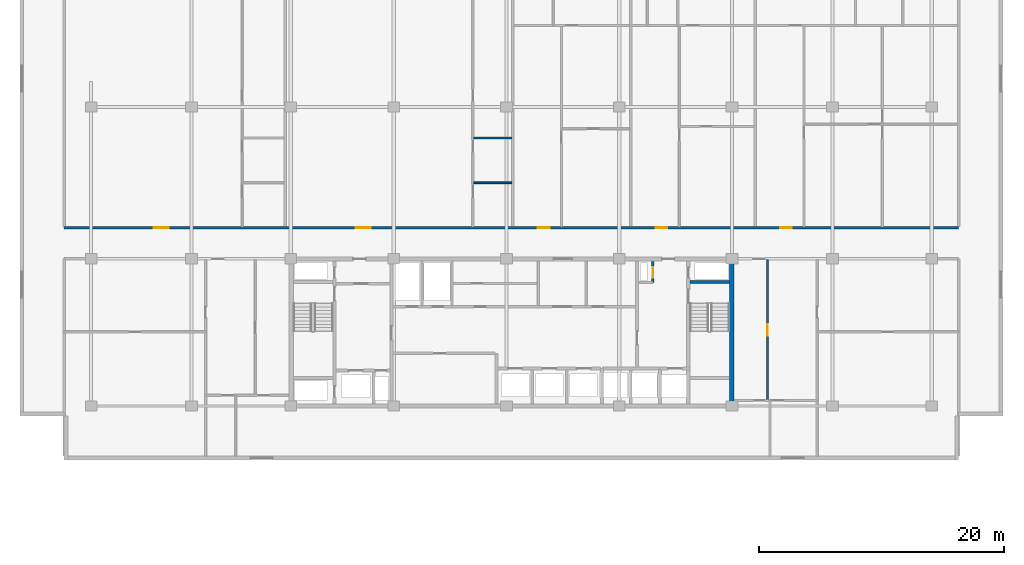
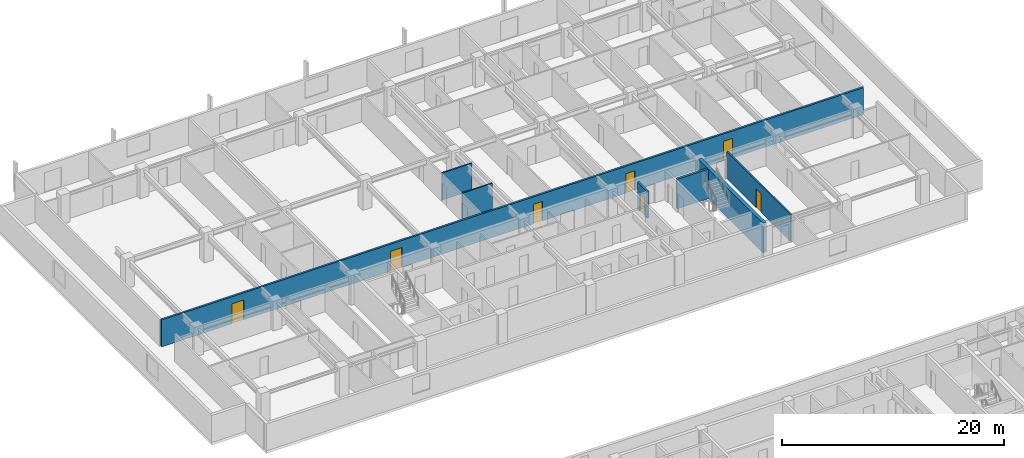
# One storey, part 12 of 21: 7 doors, 7 walls, 7 openings.
"""IFC4 building model written with IfcOpenShell, lengths in metres."""

from ifc_helpers import new_model, si_unit, direction, frame, frame_2d, origin, place, context, subcontext, project, spatial, rectangle, extrude, material, layer, layer_set, type_object, element, fill, save


model = new_model("IFC4")

# Units and contexts
model_context = context("Model", 3, precision=1e-05, world=origin(), true_north=direction((0.0, 1.0)))
body_context = subcontext(model_context, "Body", "Model", "MODEL_VIEW")
ifc_project = project(units=[si_unit("LENGTHUNIT", "METRE"), si_unit("AREAUNIT", "SQUARE_METRE"), si_unit("VOLUMEUNIT", "CUBIC_METRE"), si_unit("PLANEANGLEUNIT", "RADIAN"), si_unit("MASSUNIT", "GRAM", prefix="KILO")], contexts=[model_context])

# Site, building, storey
site_placement = place(None, origin())
site = spatial("IfcSite", under=ifc_project, at=site_placement, CompositionType="ELEMENT")
building_placement = place(site_placement, origin())
building = spatial("IfcBuilding", under=site, at=building_placement, Name="Korimba Cascade Residences", CompositionType="ELEMENT")
storey_placement = place(building_placement, frame((0.0, 0.0, 103.550048828125)))
storey = spatial("IfcBuildingStorey", under=building, at=storey_placement, Name="L29", CompositionType="ELEMENT", Elevation=103.550048828125)

# Wall
ifc_material_1 = material(Name="Concrete C65/80", Category="concrete")
ifc_layer_1 = layer(ifc_material_1, 0.35009765625)
ifc_layer_set_1 = layer_set([ifc_layer_1], Name="Concrete C65/80")
wall_type_1 = type_object("IfcWallType", Name="WAL-CORE-350", PredefinedType="SHEAR", material=ifc_layer_set_1)
wall_1_placement = place(storey_placement, frame((112.074951171875, 55.375, 0.0), z_axis=(0.0, 0.0, 1.0), x_axis=(0.0, 1.0, 0.0)))
element("IfcWall", 1, at=wall_1_placement, inside=storey, type_object=wall_type_1, Name="L29 Core Shear Wall CW-L29-T1-E", PredefinedType="SHEAR", context=body_context, shape_type="SweptSolid", body=[
    extrude(rectangle(XDim=11.64990234375, YDim=0.35009765625, at=frame_2d((5.824951171875, 0.0))), origin(), (0.0, 0.0, 1.0), 3.25),
])

# Wall, openings, doors
ifc_material_2 = material(Name="Precast concrete C40/50", Category="concrete")
ifc_layer_2 = layer(ifc_material_2, 0.199951171875)
ifc_layer_set_2 = layer_set([ifc_layer_2], Name="Precast concrete C40/50")
wall_type_2 = type_object("IfcWallType", Name="WAL-IT-200", PredefinedType="PARTITIONING", material=ifc_layer_set_2)
wall_2_placement = place(storey_placement, frame((57.60009765625, 69.75, 0.0), z_axis=(0.0, 0.0, 1.0), x_axis=(1.0, 0.0, 0.0)))
wall_2 = element("IfcWall", 2, at=wall_2_placement, inside=storey, type_object=wall_type_2, Name="L29 Partition Wall WAL-L29-T1-CORN", PredefinedType="PARTITIONING", context=body_context, shape_type="SweptSolid", body=[
    extrude(rectangle(XDim=73.0, YDim=0.199951171875, at=frame_2d((36.5, 0.0))), origin(), (0.0, 0.0, 1.0), 2.969970703125),
])
opening_1_placement = place(wall_2_placement, frame((7.326171875, 0.0, 0.0)))
opening_1 = element("IfcOpeningElement", 3, at=opening_1_placement, cuts=wall_2, Name="Opening D-AM1", PredefinedType="OPENING", context=body_context, shape_type="SweptSolid", body=[
    extrude(rectangle(XDim=1.219970703125, YDim=2.179931640625, at=frame_2d((0.60986328125, 1.08984375))), frame((0.0, 0.10986328125, 0.0), z_axis=(0.0, -1.0, 0.0), x_axis=(1.0, 0.0, 0.0)), (0.0, 0.0, 1.0), 0.219970703125),
])
opening_2_placement = place(wall_2_placement, frame((23.79541015625, 0.0, 0.0)))
opening_2 = element("IfcOpeningElement", 4, at=opening_2_placement, cuts=wall_2, Name="Opening D-AM1", PredefinedType="OPENING", context=body_context, shape_type="SweptSolid", body=[
    extrude(rectangle(XDim=1.219970703125, YDim=2.179931640625, at=frame_2d((0.60986328125, 1.08984375))), frame((0.0, 0.10986328125, 0.0), z_axis=(0.0, -1.0, 0.0), x_axis=(1.0, 0.0, 0.0)), (0.0, 0.0, 1.0), 0.219970703125),
])
opening_3_placement = place(wall_2_placement, frame((38.669921875, 0.0, 0.0)))
opening_3 = element("IfcOpeningElement", 5, at=opening_3_placement, cuts=wall_2, Name="Opening D-UN1", PredefinedType="OPENING", context=body_context, shape_type="SweptSolid", body=[
    extrude(rectangle(XDim=0.949951171875, YDim=2.14990234375, at=frame_2d((0.47509765625, 1.074951171875))), frame((0.0, 0.10986328125, 0.0), z_axis=(0.0, -1.0, 0.0), x_axis=(1.0, 0.0, 0.0)), (0.0, 0.0, 1.0), 0.219970703125),
])
opening_4_placement = place(wall_2_placement, frame((48.279052734375, 0.0, 0.0)))
opening_4 = element("IfcOpeningElement", 6, at=opening_4_placement, cuts=wall_2, Name="Opening D-UN1", PredefinedType="OPENING", context=body_context, shape_type="SweptSolid", body=[
    extrude(rectangle(XDim=0.949951171875, YDim=2.14990234375, at=frame_2d((0.47509765625, 1.074951171875))), frame((0.0, 0.10986328125, 0.0), z_axis=(0.0, -1.0, 0.0), x_axis=(1.0, 0.0, 0.0)), (0.0, 0.0, 1.0), 0.219970703125),
])
opening_5_placement = place(wall_2_placement, frame((58.448974609375, 0.0, 0.0)))
opening_5 = element("IfcOpeningElement", 7, at=opening_5_placement, cuts=wall_2, Name="Opening D-UN1", PredefinedType="OPENING", context=body_context, shape_type="SweptSolid", body=[
    extrude(rectangle(XDim=0.949951171875, YDim=2.14990234375, at=frame_2d((0.47509765625, 1.074951171875))), frame((0.0, 0.10986328125, 0.0), z_axis=(0.0, -1.0, 0.0), x_axis=(1.0, 0.0, 0.0)), (0.0, 0.0, 1.0), 0.219970703125),
])
ifc_material_3 = material(Name="Fire-Rated Glazed Timber Suite Door", Category="wood")
door_type_1 = type_object("IfcDoorType", Name="DR-FD60-1200", OperationType="NOTDEFINED", PredefinedType="DOOR", material=ifc_material_3)
door_1_placement = place(opening_1_placement, origin())
door_1 = element("IfcDoor", 8, at=door_1_placement, inside=storey, type_object=door_type_1, Name="L29-T1-U01 Business Collaboration Office Door", OperationType="SINGLE_SWING_LEFT", OverallHeight=2.179931640625, OverallWidth=1.219970703125, PredefinedType="DOOR", context=body_context, shape_type="SweptSolid", body=[
    extrude(rectangle(XDim=1.219970703125, YDim=2.179931640625, at=frame_2d((0.60986328125, 1.08984375))), frame((0.0, 0.02490234375, 0.0), z_axis=(0.0, -1.0, 0.0), x_axis=(1.0, 0.0, 0.0)), (0.0, 0.0, 1.0), 0.050048828125),
])
fill(opening_1, door_1)
door_2_placement = place(opening_2_placement, origin())
door_2 = element("IfcDoor", 9, at=door_2_placement, inside=storey, type_object=door_type_1, Name="L29-T1-U02 Resident Conference Room Door", OperationType="SINGLE_SWING_RIGHT", OverallHeight=2.179931640625, OverallWidth=1.219970703125, PredefinedType="DOOR", context=body_context, shape_type="SweptSolid", body=[
    extrude(rectangle(XDim=1.219970703125, YDim=2.179931640625, at=frame_2d((0.60986328125, 1.08984375))), frame((0.0, 0.02490234375, 0.0), z_axis=(0.0, -1.0, 0.0), x_axis=(1.0, 0.0, 0.0)), (0.0, 0.0, 1.0), 0.050048828125),
])
fill(opening_2, door_2)
ifc_material_4 = material(Name="Fire-Rated Hardwood Apartment Entrance Door", Category="wood")
door_type_2 = type_object("IfcDoorType", Name="DR-FD60-950", OperationType="NOTDEFINED", PredefinedType="DOOR", material=ifc_material_4)
door_3_placement = place(opening_3_placement, origin())
door_3 = element("IfcDoor", 10, at=door_3_placement, inside=storey, type_object=door_type_2, Name="Unit L29-T1-U03 Entrance Door", OperationType="SINGLE_SWING_LEFT", OverallHeight=2.14990234375, OverallWidth=0.949951171875, PredefinedType="DOOR", context=body_context, shape_type="SweptSolid", body=[
    extrude(rectangle(XDim=0.949951171875, YDim=2.14990234375, at=frame_2d((0.47509765625, 1.074951171875))), frame((0.0, 0.02490234375, 0.0), z_axis=(0.0, -1.0, 0.0), x_axis=(1.0, 0.0, 0.0)), (0.0, 0.0, 1.0), 0.050048828125),
])
fill(opening_3, door_3)
door_4_placement = place(opening_4_placement, origin())
door_4 = element("IfcDoor", 11, at=door_4_placement, inside=storey, type_object=door_type_2, Name="Unit L29-T1-U04 Entrance Door", OperationType="SINGLE_SWING_RIGHT", OverallHeight=2.14990234375, OverallWidth=0.949951171875, PredefinedType="DOOR", context=body_context, shape_type="SweptSolid", body=[
    extrude(rectangle(XDim=0.949951171875, YDim=2.14990234375, at=frame_2d((0.47509765625, 1.074951171875))), frame((0.0, 0.02490234375, 0.0), z_axis=(0.0, -1.0, 0.0), x_axis=(1.0, 0.0, 0.0)), (0.0, 0.0, 1.0), 0.050048828125),
])
fill(opening_4, door_4)
door_5_placement = place(opening_5_placement, origin())
door_5 = element("IfcDoor", 12, at=door_5_placement, inside=storey, type_object=door_type_2, Name="Unit L29-T1-U05 Entrance Door", OperationType="SINGLE_SWING_LEFT", OverallHeight=2.14990234375, OverallWidth=0.949951171875, PredefinedType="DOOR", context=body_context, shape_type="SweptSolid", body=[
    extrude(rectangle(XDim=0.949951171875, YDim=2.14990234375, at=frame_2d((0.47509765625, 1.074951171875))), frame((0.0, 0.02490234375, 0.0), z_axis=(0.0, -1.0, 0.0), x_axis=(1.0, 0.0, 0.0)), (0.0, 0.0, 1.0), 0.050048828125),
])
fill(opening_5, door_5)

# Wall, opening, door
ifc_material_5 = material(Name="Insulated Acoustic Stud Partition", Category="gypsum")
ifc_layer_3 = layer(ifc_material_5, 0.14990234375)
ifc_layer_set_3 = layer_set([ifc_layer_3], Name="Insulated Acoustic Stud Partition")
wall_type_3 = type_object("IfcWallType", Name="WAL-PART-150", PredefinedType="PARTITIONING", material=ifc_layer_set_3)
wall_3_placement = place(storey_placement, frame((115.0, 55.64990234375, 0.0), z_axis=(0.0, 0.0, 1.0), x_axis=(0.0, 1.0, 0.0)))
wall_3 = element("IfcWall", 13, at=wall_3_placement, inside=storey, type_object=wall_type_3, Name="L29 Partition Wall WAL-L29-T1-FE-VN", PredefinedType="PARTITIONING", context=body_context, shape_type="SweptSolid", body=[
    extrude(rectangle(XDim=11.5, YDim=0.14990234375, at=frame_2d((5.75, 0.0))), origin(), (0.0, 0.0, 1.0), 2.969970703125),
])
opening_6_placement = place(wall_3_placement, frame((5.2900390625, 0.0, 0.0)))
opening_6 = element("IfcOpeningElement", 14, at=opening_6_placement, cuts=wall_3, Name="Opening D-IN1", PredefinedType="OPENING", context=body_context, shape_type="SweptSolid", body=[
    extrude(rectangle(XDim=0.919921875, YDim=2.080078125, at=frame_2d((0.4599609375, 1.0400390625))), frame((0.0, 0.0849609375, 0.0), z_axis=(0.0, -1.0, 0.0), x_axis=(1.0, 0.0, 0.0)), (0.0, 0.0, 1.0), 0.169921875),
])
ifc_material_6 = material(Name="Acoustic Timber Living Door", Category="wood")
door_type_3 = type_object("IfcDoorType", Name="DR-INT-920", OperationType="NOTDEFINED", PredefinedType="DOOR", material=ifc_material_6)
door_6_placement = place(opening_6_placement, origin())
door_6 = element("IfcDoor", 15, at=door_6_placement, inside=storey, type_object=door_type_3, Name="L29-T1-FE Living Door", OperationType="SINGLE_SWING_LEFT", OverallHeight=2.080078125, OverallWidth=0.919921875, PredefinedType="DOOR", context=body_context, shape_type="SweptSolid", body=[
    extrude(rectangle(XDim=0.919921875, YDim=2.080078125, at=frame_2d((0.4599609375, 1.0400390625))), frame((0.0, 0.02490234375, 0.0), z_axis=(0.0, -1.0, 0.0), x_axis=(1.0, 0.0, 0.0)), (0.0, 0.0, 1.0), 0.050048828125),
])
fill(opening_6, door_6)

# Walls
for number, where, z_axis, x_axis, name in (
    (16, (91.014892578125, 73.419921875, 0.0), (0.0, 0.0, 1.0), (1.0, 0.0, 0.0), "L29 Partition Wall WAL-L29-T1-U02-WCH"),
    (17, (91.014892578125, 77.070068359375, 0.0), (0.0, 0.0, 1.0), (1.0, 0.0, 0.0), "L29 Partition Wall WAL-L29-T1-U02-WCH2"),
):
    element("IfcWall", number, at=place(storey_placement, frame(where, z_axis=z_axis, x_axis=x_axis)), inside=storey, type_object=wall_type_3, Name=name, PredefinedType="PARTITIONING", context=body_context, shape_type="SweptSolid", body=[
        extrude(rectangle(XDim=3.130126953125, YDim=0.14990234375, at=frame_2d((1.56494140625, 0.0))), origin(), (0.0, 0.0, 1.0), 2.969970703125),
    ])

# Wall, opening, door
ifc_material_7 = material(Name="Concrete C40/50", Category="concrete")
ifc_layer_4 = layer(ifc_material_7, 0.199951171875)
ifc_layer_set_4 = layer_set([ifc_layer_4], Name="Concrete C40/50")
wall_type_4 = type_object("IfcWallType", Name="WAL-PART-200", PredefinedType="PARTITIONING", material=ifc_layer_set_4)
wall_4_placement = place(storey_placement, frame((105.64990234375, 65.280029296875, 0.0), z_axis=(0.0, 0.0, 1.0), x_axis=(0.0, 1.0, 0.0)))
wall_4 = element("IfcWall", 18, at=wall_4_placement, inside=storey, type_object=wall_type_4, Name="L29 Partition Wall CW-L29-T1-HYDW2E", PredefinedType="PARTITIONING", context=body_context, shape_type="SweptSolid", body=[
    extrude(rectangle(XDim=1.719970703125, YDim=0.199951171875, at=frame_2d((0.85986328125, 0.0))), origin(), (0.0, 0.0, 1.0), 2.969970703125),
])
opening_7_placement = place(wall_4_placement, frame((0.39990234375, 0.0, 0.0)))
opening_7 = element("IfcOpeningElement", 19, at=opening_7_placement, cuts=wall_4, Name="Opening D-RS1", PredefinedType="OPENING", context=body_context, shape_type="SweptSolid", body=[
    extrude(rectangle(XDim=0.85009765625, YDim=2.050048828125, at=frame_2d((0.425048828125, 1.02490234375))), frame((0.0, 0.10986328125, 0.0), z_axis=(0.0, -1.0, 0.0), x_axis=(1.0, 0.0, 0.0)), (0.0, 0.0, 1.0), 0.219970703125),
])
ifc_material_8 = material(Name="Fire-Rated Steel Riser Access Door", Category="steel")
door_type_4 = type_object("IfcDoorType", Name="DR-FD60-850", OperationType="NOTDEFINED", PredefinedType="DOOR", material=ifc_material_8)
door_7_placement = place(opening_7_placement, origin())
door_7 = element("IfcDoor", 20, at=door_7_placement, inside=storey, type_object=door_type_4, Name="L29 East Hydrant Door", OperationType="SINGLE_SWING_LEFT", OverallHeight=2.050048828125, OverallWidth=0.85009765625, PredefinedType="DOOR", context=body_context, shape_type="SweptSolid", body=[
    extrude(rectangle(XDim=0.85009765625, YDim=2.050048828125, at=frame_2d((0.425048828125, 1.02490234375))), frame((0.0, 0.02490234375, 0.0), z_axis=(0.0, -1.0, 0.0), x_axis=(1.0, 0.0, 0.0)), (0.0, 0.0, 1.0), 0.050048828125),
])
fill(opening_7, door_7)

# Wall
ifc_material_9 = material(Name="Concrete C50/60", Category="concrete")
ifc_layer_5 = layer(ifc_material_9, 0.25)
ifc_layer_set_5 = layer_set([ifc_layer_5], Name="Concrete C50/60")
wall_type_5 = type_object("IfcWallType", Name="WAL-SHAFT-250", PredefinedType="SHEAR", material=ifc_layer_set_5)
wall_5_placement = place(storey_placement, frame((108.659912109375, 65.324951171875, 0.0), z_axis=(0.0, 0.0, 1.0), x_axis=(1.0, 0.0, 0.0)))
element("IfcWall", 21, at=wall_5_placement, inside=storey, type_object=wall_type_5, Name="L29 Core Shear Wall CW-L29-T1-STW2N", PredefinedType="SHEAR", context=body_context, shape_type="SweptSolid", body=[
    extrude(rectangle(XDim=3.239990234375, YDim=0.25, at=frame_2d((1.6201171875, 0.0))), origin(), (0.0, 0.0, 1.0), 3.25),
])

save(model, "model.ifc")
